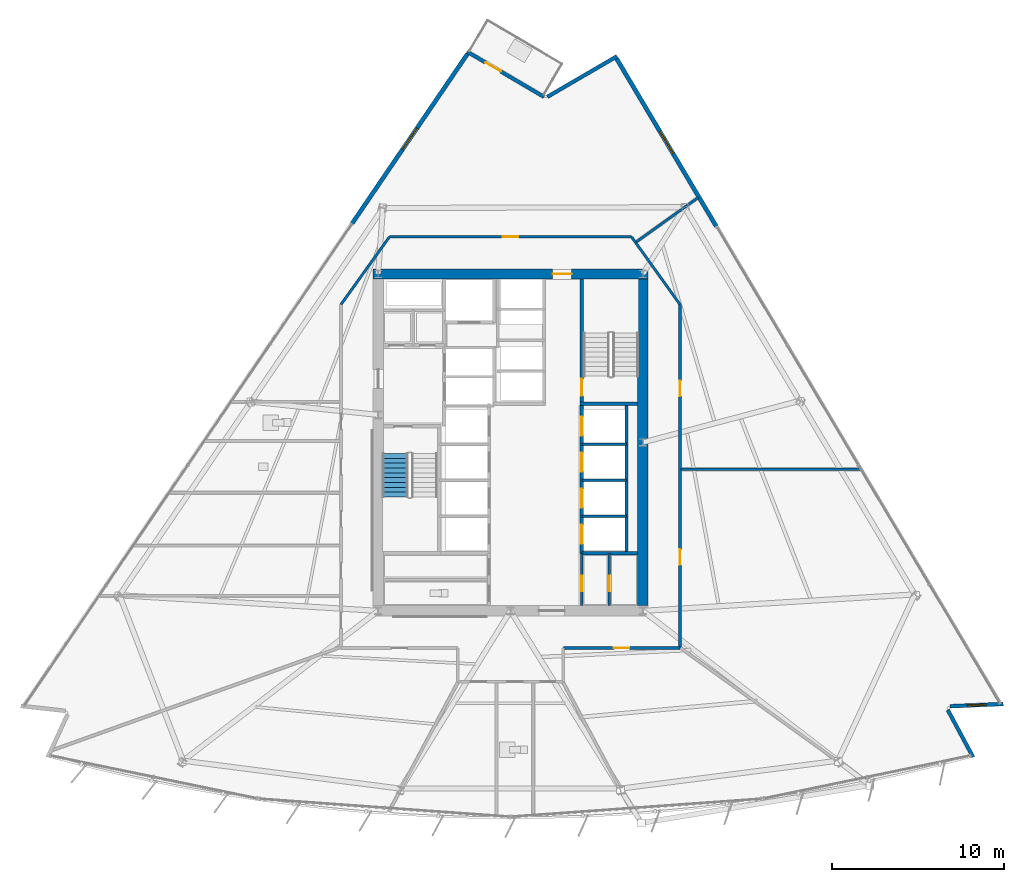
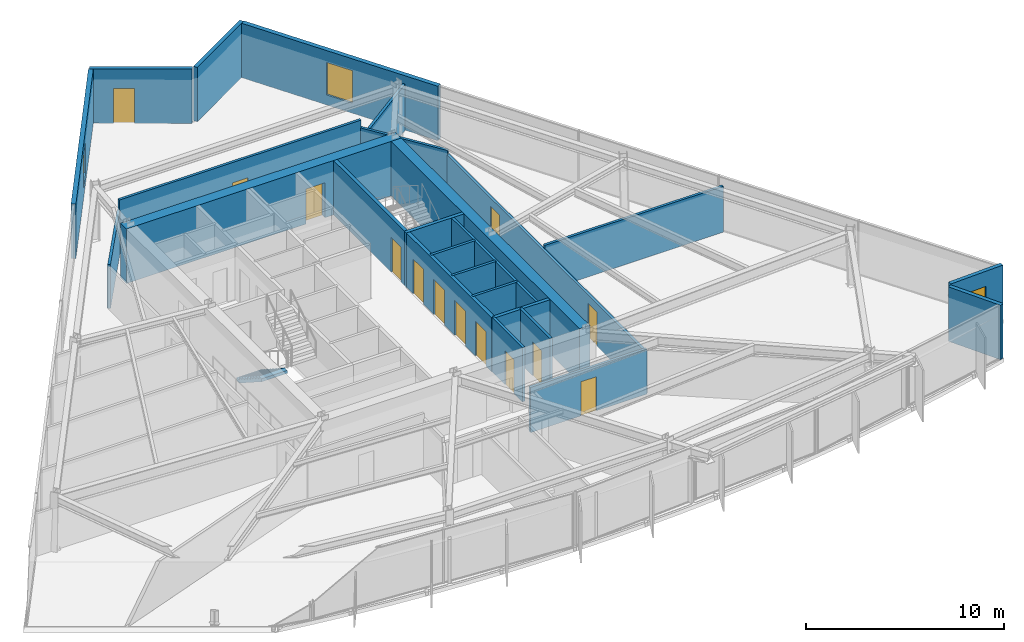
# One storey, part 9 of 15: 25 walls, 13 doors, 3 windows, 1 stair flight, 16 openings, 1 element without a shape of its own.
"""IFC4 building model written with IfcOpenShell, lengths in metres."""

from ifc_helpers import new_model, si_unit, direction, frame, frame_2d, origin, place, context, subcontext, project, spatial, polyline, rectangle, outline, extrude, material, layer, layer_set, type_object, element, fill, aggregate, save


model = new_model("IFC4")

# Units and contexts
model_context = context("Model", 3, precision=1e-05, world=origin(), true_north=direction((0.0, 1.0)))
body_context = subcontext(model_context, "Body", "Model", "MODEL_VIEW")
ifc_project = project(units=[si_unit("LENGTHUNIT", "METRE"), si_unit("AREAUNIT", "SQUARE_METRE"), si_unit("VOLUMEUNIT", "CUBIC_METRE"), si_unit("PLANEANGLEUNIT", "RADIAN"), si_unit("MASSUNIT", "GRAM", prefix="KILO")], contexts=[model_context])

# Site, building, storey
site_placement = place(None, origin())
site = spatial("IfcSite", under=ifc_project, at=site_placement, CompositionType="ELEMENT")
building_placement = place(site_placement, origin())
building = spatial("IfcBuilding", under=site, at=building_placement, Name="Savorim Split Tower", CompositionType="ELEMENT")
storey_placement = place(building_placement, frame((0.0, 0.0, 89.699951171875)))
storey = spatial("IfcBuildingStorey", under=building, at=storey_placement, Name="L23", CompositionType="ELEMENT", Elevation=89.699951171875)

# Wall, opening, door
ifc_material_1 = material(Name="Concrete C60/75", Category="concrete")
ifc_layer_1 = layer(ifc_material_1, 0.60009765625)
ifc_layer_set_1 = layer_set([ifc_layer_1], Name="WAL-COR-SH600")
wall_type_1 = type_object("IfcWallType", Name="WAL-COR-SH600", PredefinedType="SHEAR", material=ifc_layer_set_1)
wall_1_placement = place(storey_placement, frame((8.0, 10.199951171875, 0.0), z_axis=(0.0, 0.0, 1.0), x_axis=(-1.0, 0.0, 0.0)))
wall_1 = element("IfcWall", 1, at=wall_1_placement, inside=storey, type_object=wall_type_1, Name="L23 Offset Core North Shear Wall", PredefinedType="SHEAR", context=body_context, shape_type="SweptSolid", body=[
    extrude(rectangle(XDim=16.0, YDim=0.60009765625, at=frame_2d((8.0, 0.0))), origin(), (0.0, 0.0, 1.0), 3.35009765625),
])
opening_1_placement = place(wall_1_placement, frame((4.449951171875, 0.0, 0.0)))
opening_1 = element("IfcOpeningElement", 2, at=opening_1_placement, cuts=wall_1, Name="Opening DI-03", PredefinedType="OPENING", context=body_context, shape_type="SweptSolid", body=[
    extrude(rectangle(XDim=1.10009765625, YDim=2.14990234375, at=frame_2d((0.550048828125, 1.074951171875))), frame((0.0, 0.31005859375, 0.0), z_axis=(0.0, -1.0, 0.0), x_axis=(1.0, 0.0, 0.0)), (0.0, 0.0, 1.0), 0.6201171875),
])
ifc_material_2 = material(Name="Timber Fire Door Leaf", Category="wood")
door_type_1 = type_object("IfcDoorType", Name="DOR-FIR-1100", OperationType="NOTDEFINED", PredefinedType="DOOR", material=ifc_material_2)
door_1_placement = place(opening_1_placement, origin())
door_1 = element("IfcDoor", 3, at=door_1_placement, inside=storey, type_object=door_type_1, Name="DOR-L23-COR-NLOB - L23 North Corridor Lobby Fire Door", OperationType="SINGLE_SWING_RIGHT", OverallHeight=2.14990234375, OverallWidth=1.10009765625, PredefinedType="DOOR", context=body_context, shape_type="SweptSolid", body=[
    extrude(rectangle(XDim=1.10009765625, YDim=2.14990234375, at=frame_2d((0.550048828125, 1.074951171875))), frame((0.0, 0.02490234375, 0.0), z_axis=(0.0, -1.0, 0.0), x_axis=(1.0, 0.0, 0.0)), (0.0, 0.0, 1.0), 0.050048828125),
])
fill(opening_1, door_1)

# Walls
wall_2_placement = place(storey_placement, frame((7.699951171875, 9.89990234375, 0.0), z_axis=(0.0, 0.0, 1.0), x_axis=(0.0, -1.0, 0.0)))
element("IfcWall", 4, at=wall_2_placement, inside=storey, type_object=wall_type_1, Name="L23 Offset Core East Shear Wall", PredefinedType="SHEAR", context=body_context, shape_type="SweptSolid", body=[
    extrude(rectangle(XDim=19.0, YDim=0.60009765625, at=frame_2d((9.5, 0.0))), origin(), (0.0, 0.0, 1.0), 3.35009765625),
])
ifc_material_3 = material(Name="Precast concrete C40/50", Category="concrete")
ifc_layer_2 = layer(ifc_material_3, 0.219970703125)
ifc_layer_set_2 = layer_set([ifc_layer_2], Name="WAL-EXT-CRN220")
wall_type_2 = type_object("IfcWallType", Name="WAL-EXT-CRN220", PredefinedType="SOLIDWALL", material=ifc_layer_set_2)
wall_3_placement = place(storey_placement, frame((25.44189453125, -15.164794921875, 0.0), z_axis=(0.0, 0.0, 1.0), x_axis=(0.472811757317, -0.881163459378, 0.0)))
element("IfcWall", 5, at=wall_3_placement, inside=storey, type_object=wall_type_2, Name="L23 Notched Corner Facade Wall SE1", PredefinedType="SOLIDWALL", context=body_context, shape_type="SweptSolid", body=[
    extrude(rectangle(XDim=3.109619140625, YDim=0.219970703125, at=frame_2d((1.5546875, 0.0))), origin(), (0.0, 0.0, 1.0), 3.35009765625),
])

# Wall, opening, window
wall_4_placement = place(storey_placement, frame((28.667236328125, -14.819091796875, 0.0), z_axis=(0.0, 0.0, 1.0), x_axis=(-0.99909228571, -0.042598176436, 0.0)))
wall_4 = element("IfcWall", 6, at=wall_4_placement, inside=storey, type_object=wall_type_2, Name="L23 Notched Corner Facade Wall SE", PredefinedType="SOLIDWALL", context=body_context, shape_type="SweptSolid", body=[
    extrude(rectangle(XDim=3.1064453125, YDim=0.219970703125, at=frame_2d((1.55322265625, 0.0))), origin(), (0.0, 0.0, 1.0), 3.35009765625),
])
opening_2_placement = place(wall_4_placement, frame((1.003173828125, 0.0, 0.6201171875)))
opening_2 = element("IfcOpeningElement", 7, at=opening_2_placement, cuts=wall_4, Name="Opening WN-09", PredefinedType="OPENING", context=body_context, shape_type="SweptSolid", body=[
    extrude(rectangle(XDim=1.10009765625, YDim=1.800048828125, at=frame_2d((0.550048828125, 0.89990234375))), frame((0.0, 0.119873046875, 0.0), z_axis=(0.0, -1.0, 0.0), x_axis=(1.0, 0.0, 0.0)), (0.0, 0.0, 1.0), 0.239990234375),
])
ifc_material_4 = material(Name="Low-E Operable Double Glazing", Category="glass")
window_type_1 = type_object("IfcWindowType", Name="WIN-TWR-1100x1800", PartitioningType="SINGLE_PANEL", PredefinedType="WINDOW", material=ifc_material_4)
window_1_placement = place(opening_2_placement, origin())
window_1 = element("IfcWindow", 8, at=window_1_placement, inside=storey, type_object=window_type_1, Name="L23 Operable Corner Window SE", OverallHeight=1.800048828125, OverallWidth=1.10009765625, PartitioningType="SINGLE_PANEL", PredefinedType="WINDOW", context=body_context, shape_type="SweptSolid", body=[
    extrude(rectangle(XDim=1.10009765625, YDim=1.800048828125, at=frame_2d((0.550048828125, 0.89990234375))), frame((0.0, 0.030029296875, 0.0), z_axis=(0.0, -1.0, 0.0), x_axis=(1.0, 0.0, 0.0)), (0.0, 0.0, 1.0), 0.06005859375),
])
fill(opening_2, window_1)

# Wall
wall_5_placement = place(storey_placement, frame((2.141845703125, 20.502197265625, 0.0), z_axis=(0.0, 0.0, 1.0), x_axis=(0.863981097269, 0.503524243272, 0.0)))
element("IfcWall", 9, at=wall_5_placement, inside=storey, type_object=wall_type_2, Name="L23 Notched Corner Facade Wall NE1", PredefinedType="SOLIDWALL", context=body_context, shape_type="SweptSolid", body=[
    extrude(rectangle(XDim=4.684326171875, YDim=0.219970703125, at=frame_2d((2.34228515625, 0.0))), origin(), (0.0, 0.0, 1.0), 3.35009765625),
])

# Wall, opening, door
wall_6_placement = place(storey_placement, frame((-2.509521484375, 23.12451171875, 0.0), z_axis=(0.0, 0.0, 1.0), x_axis=(0.862103972413, -0.506731428618, 0.0)))
wall_6 = element("IfcWall", 10, at=wall_6_placement, inside=storey, type_object=wall_type_2, Name="L23 Notched Corner Facade Wall N", PredefinedType="SOLIDWALL", context=body_context, shape_type="SweptSolid", body=[
    extrude(rectangle(XDim=5.174560546875, YDim=0.219970703125, at=frame_2d((2.58740234375, 0.0))), origin(), (0.0, 0.0, 1.0), 3.35009765625),
])
opening_3_placement = place(wall_6_placement, frame((1.21240234375, 0.0, 0.0)))
opening_3 = element("IfcOpeningElement", 11, at=opening_3_placement, cuts=wall_6, Name="Opening DB-01", PredefinedType="OPENING", context=body_context, shape_type="SweptSolid", body=[
    extrude(rectangle(XDim=1.050048828125, YDim=2.14990234375, at=frame_2d((0.52490234375, 1.074951171875))), frame((0.0, 0.119873046875, 0.0), z_axis=(0.0, -1.0, 0.0), x_axis=(1.0, 0.0, 0.0)), (0.0, 0.0, 1.0), 0.239990234375),
])
ifc_material_5 = material(Name="Charcoal Anodised Aluminium", Category="aluminium")
door_type_2 = type_object("IfcDoorType", Name="DOR-BAL-1050", OperationType="NOTDEFINED", PredefinedType="DOOR", material=ifc_material_5)
door_2_placement = place(opening_3_placement, origin())
door_2 = element("IfcDoor", 12, at=door_2_placement, inside=storey, type_object=door_type_2, Name="DOR-L23-TBAL-N - L23 Planted Tree Balcony Door N", OperationType="SINGLE_SWING_RIGHT", OverallHeight=2.14990234375, OverallWidth=1.050048828125, PredefinedType="DOOR", context=body_context, shape_type="SweptSolid", body=[
    extrude(rectangle(XDim=1.050048828125, YDim=2.14990234375, at=frame_2d((0.52490234375, 1.074951171875))), frame((0.0, 0.02490234375, 0.0), z_axis=(0.0, -1.0, 0.0), x_axis=(1.0, 0.0, 0.0)), (0.0, 0.0, 1.0), 0.050048828125),
])
fill(opening_3, door_2)

# Wall, opening, window
ifc_layer_3 = layer(ifc_material_3, 0.25)
ifc_layer_set_3 = layer_set([ifc_layer_3], Name="WAL-EXT-SPN250")
wall_type_3 = type_object("IfcWallType", Name="WAL-EXT-SPN250", PredefinedType="SOLIDWALL", material=ifc_layer_set_3)
wall_7_placement = place(storey_placement, frame((6.17236328125, 22.734130859375, 0.0), z_axis=(0.0, 0.0, 1.0), x_axis=(0.511105869751, -0.859517765905, 0.0)))
wall_7 = element("IfcWall", 13, at=wall_7_placement, inside=storey, type_object=wall_type_3, Name="L23 East Operable Window Pier", PredefinedType="SOLIDWALL", context=body_context, shape_type="SweptSolid", body=[
    extrude(rectangle(XDim=11.356689453125, YDim=0.25, at=frame_2d((5.67822265625, 0.0))), origin(), (0.0, 0.0, 1.0), 3.35009765625),
])
opening_4_placement = place(wall_7_placement, frame((4.928466796875, 0.0, 0.6201171875)))
opening_4 = element("IfcOpeningElement", 14, at=opening_4_placement, cuts=wall_7, Name="Opening WN-06", PredefinedType="OPENING", context=body_context, shape_type="SweptSolid", body=[
    extrude(rectangle(XDim=1.5, YDim=2.0, at=frame_2d((0.75, 1.0))), frame((0.0, 0.135009765625, 0.0), z_axis=(0.0, -1.0, 0.0), x_axis=(1.0, 0.0, 0.0)), (0.0, 0.0, 1.0), 0.27001953125),
])
window_type_2 = type_object("IfcWindowType", Name="WIN-TWR-1500x2000", PartitioningType="SINGLE_PANEL", PredefinedType="WINDOW", material=ifc_material_4)
window_2_placement = place(opening_4_placement, origin())
window_2 = element("IfcWindow", 15, at=window_2_placement, inside=storey, type_object=window_type_2, Name="L23 East Operable Ventilation Window", OverallHeight=2.0, OverallWidth=1.5, PartitioningType="SINGLE_PANEL", PredefinedType="WINDOW", context=body_context, shape_type="SweptSolid", body=[
    extrude(rectangle(XDim=1.5, YDim=2.0, at=frame_2d((0.75, 1.0))), frame((0.0, 0.030029296875, 0.0), z_axis=(0.0, -1.0, 0.0), x_axis=(1.0, 0.0, 0.0)), (0.0, 0.0, 1.0), 0.06005859375),
])
fill(opening_4, window_2)

wall_8_placement = place(storey_placement, frame((-9.21728515625, 13.135986328125, 0.0), z_axis=(0.0, 0.0, 1.0), x_axis=(0.562468998305, 0.826818375428, 0.0)))
wall_8 = element("IfcWall", 16, at=wall_8_placement, inside=storey, type_object=wall_type_3, Name="L23 West Operable Window Pier", PredefinedType="SOLIDWALL", context=body_context, shape_type="SweptSolid", body=[
    extrude(rectangle(XDim=11.9287109375, YDim=0.25, at=frame_2d((5.96435546875, 0.0))), origin(), (0.0, 0.0, 1.0), 3.35009765625),
])
opening_5_placement = place(wall_8_placement, frame((5.21435546875, 0.0, 0.6201171875)))
opening_5 = element("IfcOpeningElement", 17, at=opening_5_placement, cuts=wall_8, Name="Opening WN-06", PredefinedType="OPENING", context=body_context, shape_type="SweptSolid", body=[
    extrude(rectangle(XDim=1.5, YDim=2.0, at=frame_2d((0.75, 1.0))), frame((0.0, 0.135009765625, 0.0), z_axis=(0.0, -1.0, 0.0), x_axis=(1.0, 0.0, 0.0)), (0.0, 0.0, 1.0), 0.27001953125),
])
window_3_placement = place(opening_5_placement, origin())
window_3 = element("IfcWindow", 18, at=window_3_placement, inside=storey, type_object=window_type_2, Name="L23 West Operable Ventilation Window", OverallHeight=2.0, OverallWidth=1.5, PartitioningType="SINGLE_PANEL", PredefinedType="WINDOW", context=body_context, shape_type="SweptSolid", body=[
    extrude(rectangle(XDim=1.5, YDim=2.0, at=frame_2d((0.75, 1.0))), frame((0.0, 0.030029296875, 0.0), z_axis=(0.0, -1.0, 0.0), x_axis=(1.0, 0.0, 0.0)), (0.0, 0.0, 1.0), 0.06005859375),
])
fill(opening_5, window_3)

# Wall, opening, door
ifc_material_6 = material(Name="Concrete C50/60", Category="concrete")
ifc_layer_4 = layer(ifc_material_6, 0.199951171875)
ifc_layer_set_4 = layer_set([ifc_layer_4], Name="WAL-INT-RC200")
wall_type_4 = type_object("IfcWallType", Name="WAL-INT-RC200", PredefinedType="SOLIDWALL", material=ifc_layer_set_4)
wall_9_placement = place(storey_placement, frame((4.14990234375, 2.75, 0.0), z_axis=(0.0, 0.0, 1.0), x_axis=(0.0, 1.0, 0.0)))
wall_9 = element("IfcWall", 19, at=wall_9_placement, inside=storey, type_object=wall_type_4, Name="L23 Structural Shaft Wall W-L23-CR07", PredefinedType="SOLIDWALL", context=body_context, shape_type="SweptSolid", body=[
    extrude(rectangle(XDim=7.14990234375, YDim=0.199951171875, at=frame_2d((3.574951171875, 0.0))), origin(), (0.0, 0.0, 1.0), 3.35009765625),
])
opening_6_placement = place(wall_9_placement, frame((0.35009765625, 0.0, 0.0)))
opening_6 = element("IfcOpeningElement", 20, at=opening_6_placement, cuts=wall_9, Name="Opening DI-04", PredefinedType="OPENING", context=body_context, shape_type="SweptSolid", body=[
    extrude(rectangle(XDim=1.0, YDim=2.14990234375, at=frame_2d((0.5, 1.074951171875))), frame((0.0, 0.10986328125, 0.0), z_axis=(0.0, -1.0, 0.0), x_axis=(1.0, 0.0, 0.0)), (0.0, 0.0, 1.0), 0.219970703125),
])
door_type_3 = type_object("IfcDoorType", Name="DOR-FIR-1000", OperationType="NOTDEFINED", PredefinedType="DOOR", material=ifc_material_2)
door_3_placement = place(opening_6_placement, origin())
door_3 = element("IfcDoor", 21, at=door_3_placement, inside=storey, type_object=door_type_3, Name="DR-L23-ST2 - L23 Stair ST-2 Enclosure Door", OperationType="SINGLE_SWING_RIGHT", OverallHeight=2.14990234375, OverallWidth=1.0, PredefinedType="DOOR", context=body_context, shape_type="SweptSolid", body=[
    extrude(rectangle(XDim=1.0, YDim=2.14990234375, at=frame_2d((0.5, 1.074951171875))), frame((0.0, 0.02490234375, 0.0), z_axis=(0.0, -1.0, 0.0), x_axis=(1.0, 0.0, 0.0)), (0.0, 0.0, 1.0), 0.050048828125),
])
fill(opening_6, door_3)

# Wall
wall_10_placement = place(storey_placement, frame((4.050048828125, 2.64990234375, 0.0), z_axis=(0.0, 0.0, 1.0), x_axis=(1.0, 0.0, 0.0)))
element("IfcWall", 22, at=wall_10_placement, inside=storey, type_object=wall_type_4, Name="L23 Structural Shaft Wall W-L23-CR08", PredefinedType="SOLIDWALL", context=body_context, shape_type="SweptSolid", body=[
    extrude(rectangle(XDim=3.349853515625, YDim=0.199951171875, at=frame_2d((1.6748046875, 0.0))), origin(), (0.0, 0.0, 1.0), 3.35009765625),
])

# Wall, openings, doors
wall_11_placement = place(storey_placement, frame((4.14990234375, -6.050048828125, 0.0), z_axis=(0.0, 0.0, 1.0), x_axis=(0.0, 1.0, 0.0)))
wall_11 = element("IfcWall", 23, at=wall_11_placement, inside=storey, type_object=wall_type_4, Name="L23 Partition W-L23-B1FRONT", PredefinedType="SOLIDWALL", context=body_context, shape_type="SweptSolid", body=[
    extrude(rectangle(XDim=8.699951171875, YDim=0.199951171875, at=frame_2d((4.35009765625, 0.0))), origin(), (0.0, 0.0, 1.0), 3.35009765625),
])
opening_7_placement = place(wall_11_placement, frame((0.550048828125, 0.0, 0.0)))
opening_7 = element("IfcOpeningElement", 24, at=opening_7_placement, cuts=wall_11, Name="Opening LD-01", PredefinedType="OPENING", context=body_context, shape_type="SweptSolid", body=[
    extrude(rectangle(XDim=1.10009765625, YDim=2.14990234375, at=frame_2d((0.550048828125, 1.074951171875))), frame((0.0, 0.10986328125, 0.0), z_axis=(0.0, -1.0, 0.0), x_axis=(1.0, 0.0, 0.0)), (0.0, 0.0, 1.0), 0.219970703125),
])
opening_8_placement = place(wall_11_placement, frame((2.64990234375, 0.0, 0.0)))
opening_8 = element("IfcOpeningElement", 25, at=opening_8_placement, cuts=wall_11, Name="Opening LD-01", PredefinedType="OPENING", context=body_context, shape_type="SweptSolid", body=[
    extrude(rectangle(XDim=1.10009765625, YDim=2.14990234375, at=frame_2d((0.550048828125, 1.074951171875))), frame((0.0, 0.10986328125, 0.0), z_axis=(0.0, -1.0, 0.0), x_axis=(1.0, 0.0, 0.0)), (0.0, 0.0, 1.0), 0.219970703125),
])
opening_9_placement = place(wall_11_placement, frame((4.75, 0.0, 0.0)))
opening_9 = element("IfcOpeningElement", 26, at=opening_9_placement, cuts=wall_11, Name="Opening LD-01", PredefinedType="OPENING", context=body_context, shape_type="SweptSolid", body=[
    extrude(rectangle(XDim=1.10009765625, YDim=2.14990234375, at=frame_2d((0.550048828125, 1.074951171875))), frame((0.0, 0.10986328125, 0.0), z_axis=(0.0, -1.0, 0.0), x_axis=(1.0, 0.0, 0.0)), (0.0, 0.0, 1.0), 0.219970703125),
])
opening_10_placement = place(wall_11_placement, frame((6.85009765625, 0.0, 0.0)))
opening_10 = element("IfcOpeningElement", 27, at=opening_10_placement, cuts=wall_11, Name="Opening LD-01", PredefinedType="OPENING", context=body_context, shape_type="SweptSolid", body=[
    extrude(rectangle(XDim=1.10009765625, YDim=2.14990234375, at=frame_2d((0.550048828125, 1.074951171875))), frame((0.0, 0.10986328125, 0.0), z_axis=(0.0, -1.0, 0.0), x_axis=(1.0, 0.0, 0.0)), (0.0, 0.0, 1.0), 0.219970703125),
])
door_type_4 = type_object("IfcDoorType", Name="DOR-SLD-LD1100", OperationType="NOTDEFINED", PredefinedType="DOOR", material=ifc_material_5)
door_4_placement = place(opening_7_placement, origin())
door_4 = element("IfcDoor", 28, at=door_4_placement, inside=storey, type_object=door_type_4, Name="DR-L23-LD-PLL1 - L23 Lift PL-L1 Sliding Landing Door", OperationType="DOUBLE_DOOR_SLIDING", OverallHeight=2.14990234375, OverallWidth=1.10009765625, PredefinedType="DOOR", context=body_context, shape_type="SweptSolid", body=[
    extrude(rectangle(XDim=1.10009765625, YDim=2.14990234375, at=frame_2d((0.550048828125, 1.074951171875))), frame((0.0, 0.02490234375, 0.0), z_axis=(0.0, -1.0, 0.0), x_axis=(1.0, 0.0, 0.0)), (0.0, 0.0, 1.0), 0.050048828125),
])
fill(opening_7, door_4)
door_5_placement = place(opening_8_placement, origin())
door_5 = element("IfcDoor", 29, at=door_5_placement, inside=storey, type_object=door_type_4, Name="DR-L23-LD-PLL2 - L23 Lift PL-L2 Sliding Landing Door", OperationType="DOUBLE_DOOR_SLIDING", OverallHeight=2.14990234375, OverallWidth=1.10009765625, PredefinedType="DOOR", context=body_context, shape_type="SweptSolid", body=[
    extrude(rectangle(XDim=1.10009765625, YDim=2.14990234375, at=frame_2d((0.550048828125, 1.074951171875))), frame((0.0, 0.02490234375, 0.0), z_axis=(0.0, -1.0, 0.0), x_axis=(1.0, 0.0, 0.0)), (0.0, 0.0, 1.0), 0.050048828125),
])
fill(opening_8, door_5)
door_6_placement = place(opening_9_placement, origin())
door_6 = element("IfcDoor", 30, at=door_6_placement, inside=storey, type_object=door_type_4, Name="DR-L23-LD-PLL3 - L23 Lift PL-L3 Sliding Landing Door", OperationType="DOUBLE_DOOR_SLIDING", OverallHeight=2.14990234375, OverallWidth=1.10009765625, PredefinedType="DOOR", context=body_context, shape_type="SweptSolid", body=[
    extrude(rectangle(XDim=1.10009765625, YDim=2.14990234375, at=frame_2d((0.550048828125, 1.074951171875))), frame((0.0, 0.02490234375, 0.0), z_axis=(0.0, -1.0, 0.0), x_axis=(1.0, 0.0, 0.0)), (0.0, 0.0, 1.0), 0.050048828125),
])
fill(opening_9, door_6)
door_7_placement = place(opening_10_placement, origin())
door_7 = element("IfcDoor", 31, at=door_7_placement, inside=storey, type_object=door_type_4, Name="DR-L23-LD-PLL4 - L23 Lift PL-L4 Sliding Landing Door", OperationType="DOUBLE_DOOR_SLIDING", OverallHeight=2.14990234375, OverallWidth=1.10009765625, PredefinedType="DOOR", context=body_context, shape_type="SweptSolid", body=[
    extrude(rectangle(XDim=1.10009765625, YDim=2.14990234375, at=frame_2d((0.550048828125, 1.074951171875))), frame((0.0, 0.02490234375, 0.0), z_axis=(0.0, -1.0, 0.0), x_axis=(1.0, 0.0, 0.0)), (0.0, 0.0, 1.0), 0.050048828125),
])
fill(opening_10, door_7)

# Walls
wall_12_placement = place(storey_placement, frame((4.14990234375, -6.050048828125, 0.0), z_axis=(0.0, 0.0, 1.0), x_axis=(1.0, 0.0, 0.0)))
element("IfcWall", 32, at=wall_12_placement, inside=storey, type_object=wall_type_4, Name="L23 Partition W-L23-KSEP-E", PredefinedType="SOLIDWALL", context=body_context, shape_type="SweptSolid", body=[
    extrude(rectangle(XDim=3.2451171875, YDim=0.199951171875, at=frame_2d((1.62255859375, 0.0))), origin(), (0.0, 0.0, 1.0), 3.35009765625),
])
ifc_material_7 = material(Name="Acoustic Gypsum Partition Board")
ifc_layer_5 = layer(ifc_material_7, 0.14990234375)
ifc_layer_set_5 = layer_set([ifc_layer_5], Name="WAL-PAR-150")
wall_type_5 = type_object("IfcWallType", Name="WAL-PAR-150", PredefinedType="PARTITIONING", material=ifc_layer_set_5)
wall_13_placement = place(storey_placement, frame((6.75, -6.050048828125, 0.0), z_axis=(0.0, 0.0, 1.0), x_axis=(0.0, 1.0, 0.0)))
element("IfcWall", 33, at=wall_13_placement, inside=storey, type_object=wall_type_5, Name="L23 Partition W-L23-B1BACK", PredefinedType="PARTITIONING", context=body_context, shape_type="SweptSolid", body=[
    extrude(rectangle(XDim=8.699951171875, YDim=0.14990234375, at=frame_2d((4.35009765625, 0.0))), origin(), (0.0, 0.0, 1.0), 3.35009765625),
])
for number, where, z_axis, x_axis, name in (
    (34, (4.14990234375, -3.89990234375, 0.0), (0.0, 0.0, 1.0), (1.0, 0.0, 0.0), "L23 Partition W-L23-B1DIV1"),
    (35, (4.14990234375, -1.800048828125, 0.0), (0.0, 0.0, 1.0), (1.0, 0.0, 0.0), "L23 Partition W-L23-B1DIV2"),
    (36, (4.14990234375, 0.300048828125, 0.0), (0.0, 0.0, 1.0), (1.0, 0.0, 0.0), "L23 Partition W-L23-B1DIV3"),
):
    element("IfcWall", number, at=place(storey_placement, frame(where, z_axis=z_axis, x_axis=x_axis)), inside=storey, type_object=wall_type_5, Name=name, PredefinedType="PARTITIONING", context=body_context, shape_type="SweptSolid", body=[
        extrude(rectangle(XDim=2.60009765625, YDim=0.14990234375, at=frame_2d((1.300048828125, 0.0))), origin(), (0.0, 0.0, 1.0), 3.35009765625),
    ])

# Wall, opening, door
wall_14_placement = place(storey_placement, frame((4.14990234375, -9.094970703125, 0.0), z_axis=(0.0, 0.0, 1.0), x_axis=(0.0, 1.0, 0.0)))
wall_14 = element("IfcWall", 37, at=wall_14_placement, inside=storey, type_object=wall_type_5, Name="L23 Partition W-L23-KLOB-E", PredefinedType="PARTITIONING", context=body_context, shape_type="SweptSolid", body=[
    extrude(rectangle(XDim=3.044921875, YDim=0.14990234375, at=frame_2d((1.5224609375, 0.0))), origin(), (0.0, 0.0, 1.0), 3.35009765625),
])
opening_11_placement = place(wall_14_placement, frame((0.844970703125, 0.0, 0.0)))
opening_11 = element("IfcOpeningElement", 38, at=opening_11_placement, cuts=wall_14, Name="Opening DI-06", PredefinedType="OPENING", context=body_context, shape_type="SweptSolid", body=[
    extrude(rectangle(XDim=0.89990234375, YDim=2.10009765625, at=frame_2d((0.449951171875, 1.050048828125))), frame((0.0, 0.0849609375, 0.0), z_axis=(0.0, -1.0, 0.0), x_axis=(1.0, 0.0, 0.0)), (0.0, 0.0, 1.0), 0.169921875),
])
door_type_5 = type_object("IfcDoorType", Name="DOR-FIR-900", OperationType="NOTDEFINED", PredefinedType="DOOR", material=ifc_material_2)
door_8_placement = place(opening_11_placement, origin())
door_8 = element("IfcDoor", 39, at=door_8_placement, inside=storey, type_object=door_type_5, Name="DR-L23-K2PAN - L23 Vending Pantry Door", OperationType="SINGLE_SWING_LEFT", OverallHeight=2.10009765625, OverallWidth=0.89990234375, PredefinedType="DOOR", context=body_context, shape_type="SweptSolid", body=[
    extrude(rectangle(XDim=0.89990234375, YDim=2.10009765625, at=frame_2d((0.449951171875, 1.050048828125))), frame((0.0, 0.02490234375, 0.0), z_axis=(0.0, -1.0, 0.0), x_axis=(1.0, 0.0, 0.0)), (0.0, 0.0, 1.0), 0.050048828125),
])
fill(opening_11, door_8)

wall_15_placement = place(storey_placement, frame((5.75, -9.094970703125, 0.0), z_axis=(0.0, 0.0, 1.0), x_axis=(0.0, 1.0, 0.0)))
wall_15 = element("IfcWall", 40, at=wall_15_placement, inside=storey, type_object=wall_type_5, Name="L23 Partition W-L23-K2E", PredefinedType="PARTITIONING", context=body_context, shape_type="SweptSolid", body=[
    extrude(rectangle(XDim=3.044921875, YDim=0.14990234375, at=frame_2d((1.5224609375, 0.0))), origin(), (0.0, 0.0, 1.0), 3.35009765625),
])
opening_12_placement = place(wall_15_placement, frame((0.844970703125, 0.0, 0.0)))
opening_12 = element("IfcOpeningElement", 41, at=opening_12_placement, cuts=wall_15, Name="Opening DI-06", PredefinedType="OPENING", context=body_context, shape_type="SweptSolid", body=[
    extrude(rectangle(XDim=0.89990234375, YDim=2.10009765625, at=frame_2d((0.449951171875, 1.050048828125))), frame((0.0, 0.0849609375, 0.0), z_axis=(0.0, -1.0, 0.0), x_axis=(1.0, 0.0, 0.0)), (0.0, 0.0, 1.0), 0.169921875),
])
door_9_placement = place(opening_12_placement, origin())
door_9 = element("IfcDoor", 42, at=door_9_placement, inside=storey, type_object=door_type_5, Name="DR-L23-K2REF - L23 Recycling Room Door", OperationType="SINGLE_SWING_RIGHT", OverallHeight=2.10009765625, OverallWidth=0.89990234375, PredefinedType="DOOR", context=body_context, shape_type="SweptSolid", body=[
    extrude(rectangle(XDim=0.89990234375, YDim=2.10009765625, at=frame_2d((0.449951171875, 1.050048828125))), frame((0.0, 0.02490234375, 0.0), z_axis=(0.0, -1.0, 0.0), x_axis=(1.0, 0.0, 0.0)), (0.0, 0.0, 1.0), 0.050048828125),
])
fill(opening_12, door_9)

# Wall
wall_16_placement = place(storey_placement, frame((-9.860107421875, 8.42578125, 0.0), z_axis=(0.0, 0.0, 1.0), x_axis=(0.582449511476, 0.812866881218, 0.0)))
element("IfcWall", 43, at=wall_16_placement, inside=storey, type_object=wall_type_5, Name="L23 Partition W-L23-COR-02", PredefinedType="PARTITIONING", context=body_context, shape_type="SweptSolid", body=[
    extrude(rectangle(XDim=4.840087890625, YDim=0.14990234375, at=frame_2d((2.419921875, 0.0))), origin(), (0.0, 0.0, 1.0), 2.72509765625),
])

# Wall, opening, door
wall_17_placement = place(storey_placement, frame((-7.041015625, 12.360107421875, 0.0), z_axis=(0.0, 0.0, 1.0), x_axis=(1.0, 0.0, 0.0)))
wall_17 = element("IfcWall", 44, at=wall_17_placement, inside=storey, type_object=wall_type_5, Name="L23 Partition W-L23-COR-03", PredefinedType="PARTITIONING", context=body_context, shape_type="SweptSolid", body=[
    extrude(rectangle(XDim=14.08203125, YDim=0.14990234375, at=frame_2d((7.041015625, 0.0))), origin(), (0.0, 0.0, 1.0), 3.35009765625),
])
opening_13_placement = place(wall_17_placement, frame((6.591064453125, 0.0, 0.0)))
opening_13 = element("IfcOpeningElement", 45, at=opening_13_placement, cuts=wall_17, Name="Opening DI-06", PredefinedType="OPENING", context=body_context, shape_type="SweptSolid", body=[
    extrude(rectangle(XDim=0.89990234375, YDim=2.10009765625, at=frame_2d((0.449951171875, 1.050048828125))), frame((0.0, 0.0849609375, 0.0), z_axis=(0.0, -1.0, 0.0), x_axis=(1.0, 0.0, 0.0)), (0.0, 0.0, 1.0), 0.169921875),
])
door_10_placement = place(opening_13_placement, origin())
door_10 = element("IfcDoor", 46, at=door_10_placement, inside=storey, type_object=door_type_5, Name="DR-L23-RM12 - L23 Maker Workshop Entry Door", OperationType="SINGLE_SWING_LEFT", OverallHeight=2.10009765625, OverallWidth=0.89990234375, PredefinedType="DOOR", context=body_context, shape_type="SweptSolid", body=[
    extrude(rectangle(XDim=0.89990234375, YDim=2.10009765625, at=frame_2d((0.449951171875, 1.050048828125))), frame((0.0, 0.02490234375, 0.0), z_axis=(0.0, -1.0, 0.0), x_axis=(1.0, 0.0, 0.0)), (0.0, 0.0, 1.0), 0.050048828125),
])
fill(opening_13, door_10)

# Wall
wall_18_placement = place(storey_placement, frame((7.041015625, 12.360107421875, 0.0), z_axis=(0.0, 0.0, 1.0), x_axis=(0.582449511476, -0.812866881218, 0.0)))
element("IfcWall", 47, at=wall_18_placement, inside=storey, type_object=wall_type_5, Name="L23 Partition W-L23-COR-04", PredefinedType="PARTITIONING", context=body_context, shape_type="SweptSolid", body=[
    extrude(rectangle(XDim=4.840087890625, YDim=0.14990234375, at=frame_2d((2.419921875, 0.0))), origin(), (0.0, 0.0, 1.0), 2.875),
])

# Wall, openings, doors
wall_19_placement = place(storey_placement, frame((9.860107421875, 8.42578125, 0.0), z_axis=(0.0, 0.0, 1.0), x_axis=(0.0, -1.0, 0.0)))
wall_19 = element("IfcWall", 48, at=wall_19_placement, inside=storey, type_object=wall_type_5, Name="L23 Partition W-L23-COR-05", PredefinedType="PARTITIONING", context=body_context, shape_type="SweptSolid", body=[
    extrude(rectangle(XDim=19.98583984375, YDim=0.14990234375, at=frame_2d((9.992919921875, 0.0))), origin(), (0.0, 0.0, 1.0), 2.609130859375),
])
opening_14_placement = place(wall_19_placement, frame((14.248291015625, 0.0, 0.0)))
opening_14 = element("IfcOpeningElement", 49, at=opening_14_placement, cuts=wall_19, Name="Opening DI-06", PredefinedType="OPENING", context=body_context, shape_type="SweptSolid", body=[
    extrude(rectangle(XDim=0.89990234375, YDim=2.10009765625, at=frame_2d((0.449951171875, 1.050048828125))), frame((0.0, 0.0849609375, 0.0), z_axis=(0.0, -1.0, 0.0), x_axis=(1.0, 0.0, 0.0)), (0.0, 0.0, 1.0), 0.169921875),
])
opening_15_placement = place(wall_19_placement, frame((4.43359375, 0.0, 0.0)))
opening_15 = element("IfcOpeningElement", 50, at=opening_15_placement, cuts=wall_19, Name="Opening DI-06", PredefinedType="OPENING", context=body_context, shape_type="SweptSolid", body=[
    extrude(rectangle(XDim=0.89990234375, YDim=2.10009765625, at=frame_2d((0.449951171875, 1.050048828125))), frame((0.0, 0.0849609375, 0.0), z_axis=(0.0, -1.0, 0.0), x_axis=(1.0, 0.0, 0.0)), (0.0, 0.0, 1.0), 0.169921875),
])
door_11_placement = place(opening_14_placement, origin())
door_11 = element("IfcDoor", 51, at=door_11_placement, inside=storey, type_object=door_type_5, Name="DR-L23-RM10 - L23 Maker Workshop Entry Door", OperationType="SINGLE_SWING_LEFT", OverallHeight=2.10009765625, OverallWidth=0.89990234375, PredefinedType="DOOR", context=body_context, shape_type="SweptSolid", body=[
    extrude(rectangle(XDim=0.89990234375, YDim=2.10009765625, at=frame_2d((0.449951171875, 1.050048828125))), frame((0.0, 0.02490234375, 0.0), z_axis=(0.0, -1.0, 0.0), x_axis=(1.0, 0.0, 0.0)), (0.0, 0.0, 1.0), 0.050048828125),
])
fill(opening_14, door_11)
door_12_placement = place(opening_15_placement, origin())
door_12 = element("IfcDoor", 52, at=door_12_placement, inside=storey, type_object=door_type_5, Name="DR-L23-RM11 - L23 Co-Working Commons Entry Door", OperationType="SINGLE_SWING_RIGHT", OverallHeight=2.10009765625, OverallWidth=0.89990234375, PredefinedType="DOOR", context=body_context, shape_type="SweptSolid", body=[
    extrude(rectangle(XDim=0.89990234375, YDim=2.10009765625, at=frame_2d((0.449951171875, 1.050048828125))), frame((0.0, 0.02490234375, 0.0), z_axis=(0.0, -1.0, 0.0), x_axis=(1.0, 0.0, 0.0)), (0.0, 0.0, 1.0), 0.050048828125),
])
fill(opening_15, door_12)

# Wall, opening, door
wall_20_placement = place(storey_placement, frame((9.860107421875, -11.56005859375, 0.0), z_axis=(0.0, 0.0, 1.0), x_axis=(-1.0, 0.0, 0.0)))
wall_20 = element("IfcWall", 53, at=wall_20_placement, inside=storey, type_object=wall_type_5, Name="L23 Partition W-L23-COR-06", PredefinedType="PARTITIONING", context=body_context, shape_type="SweptSolid", body=[
    extrude(rectangle(XDim=6.780029296875, YDim=0.14990234375, at=frame_2d((3.39013671875, 0.0))), origin(), (0.0, 0.0, 1.0), 2.775146484375),
])
opening_16_placement = place(wall_20_placement, frame((2.93994140625, 0.0, 0.0)))
opening_16 = element("IfcOpeningElement", 54, at=opening_16_placement, cuts=wall_20, Name="Opening DI-06", PredefinedType="OPENING", context=body_context, shape_type="SweptSolid", body=[
    extrude(rectangle(XDim=0.89990234375, YDim=2.10009765625, at=frame_2d((0.449951171875, 1.050048828125))), frame((0.0, 0.0849609375, 0.0), z_axis=(0.0, -1.0, 0.0), x_axis=(1.0, 0.0, 0.0)), (0.0, 0.0, 1.0), 0.169921875),
])
door_13_placement = place(opening_16_placement, origin())
door_13 = element("IfcDoor", 55, at=door_13_placement, inside=storey, type_object=door_type_5, Name="DR-L23-RM09 - L23 Co-Working Commons Entry Door", OperationType="SINGLE_SWING_RIGHT", OverallHeight=2.10009765625, OverallWidth=0.89990234375, PredefinedType="DOOR", context=body_context, shape_type="SweptSolid", body=[
    extrude(rectangle(XDim=0.89990234375, YDim=2.10009765625, at=frame_2d((0.449951171875, 1.050048828125))), frame((0.0, 0.02490234375, 0.0), z_axis=(0.0, -1.0, 0.0), x_axis=(1.0, 0.0, 0.0)), (0.0, 0.0, 1.0), 0.050048828125),
])
fill(opening_16, door_13)

# Walls
wall_21_placement = place(storey_placement, frame((7.323974609375, 12.068359375, 0.0), z_axis=(0.0, 0.0, 1.0), x_axis=(0.8128980562, 0.582406001193, 0.0)))
element("IfcWall", 56, at=wall_21_placement, inside=storey, type_object=wall_type_5, Name="L23 Partition W-L23-PRAD07", PredefinedType="PARTITIONING", context=body_context, shape_type="SweptSolid", body=[
    extrude(rectangle(XDim=4.427490234375, YDim=0.14990234375, at=frame_2d((2.2138671875, 0.0))), origin(), (0.0, 0.0, 1.0), 2.8349609375),
])
wall_22_placement = place(storey_placement, frame((9.919921875, -1.1630859375, 0.0), z_axis=(0.0, 0.0, 1.0), x_axis=(1.0, 0.0, 0.0)))
element("IfcWall", 57, at=wall_22_placement, inside=storey, type_object=wall_type_5, Name="L23 Partition W-L23-SUB07", PredefinedType="PARTITIONING", context=body_context, shape_type="SweptSolid", body=[
    extrude(rectangle(XDim=10.404296875, YDim=0.14990234375, at=frame_2d((5.2021484375, 0.0))), origin(), (0.0, 0.0, 1.0), 2.824951171875),
])

# Stair, stair flight
stair_type = type_object("IfcStairType", Name="STR-DOG-3600", PredefinedType="HALF_TURN_STAIR", material=ifc_material_6)
stair_placement = place(storey_placement, origin())
stair = element("IfcStair", 58, at=stair_placement, inside=storey, type_object=stair_type, Name="L23 Core Protected Exit Stair ST-1", PredefinedType="HALF_TURN_STAIR")
stair_flight_type = type_object("IfcStairFlightType", Name="SFL-DOG-3600", PredefinedType="STRAIGHT", material=ifc_material_6)
stair_flight_placement = place(storey_placement, frame((-6.699951171875, -0.25, 0.0), z_axis=(0.0, 0.0, 1.0), x_axis=(0.0, -1.0, 0.0)))
stair_flight = element("IfcStairFlight", 59, at=stair_flight_placement, type_object=stair_flight_type, Name="ST-1 flight 1", NumberOfRisers=10, NumberOfTreads=9, PredefinedType="STRAIGHT", RiserHeight=0.18, TreadLength=0.28, context=body_context, shape_type="SweptSolid", body=[
    extrude(outline(polyline([(0.0, 0.0), (0.0, 0.179931640625), (0.280029296875, 0.179931640625), (0.280029296875, 0.360107421875), (0.56005859375, 0.360107421875), (0.56005859375, 0.5400390625), (0.840087890625, 0.5400390625), (0.840087890625, 0.719970703125), (1.1201171875, 0.719970703125), (1.1201171875, 0.89990234375), (1.39990234375, 0.89990234375), (1.39990234375, 1.080078125), (1.679931640625, 1.080078125), (1.679931640625, 1.260009765625), (1.9599609375, 1.260009765625), (1.9599609375, 1.43994140625), (2.239990234375, 1.43994140625), (2.239990234375, 1.6201171875), (2.52001953125, 1.6201171875), (2.52001953125, 1.800048828125), (2.52001953125, 1.44189453125), (0.277099609375, 0.0), (0.0, 0.0)])), frame((0.0, 0.75, 0.0), z_axis=(0.0, -1.0, 0.0), x_axis=(1.0, 0.0, 0.0)), (0.0, 0.0, 1.0), 1.5),
])
aggregate(stair, [stair_flight])

save(model, "model.ifc")
